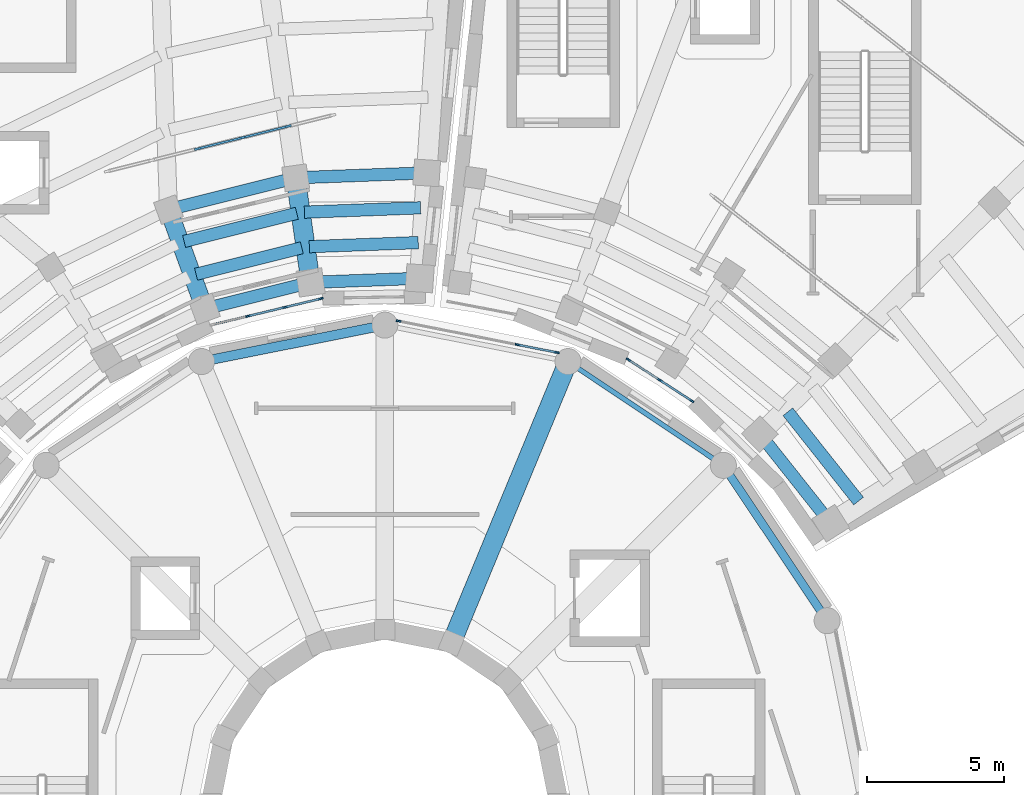
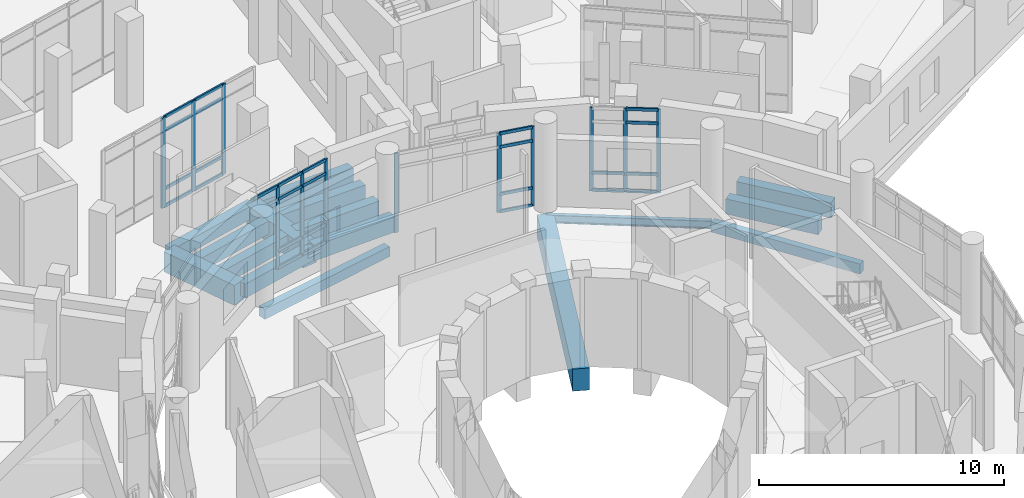
# One storey, part 30 of 89: 39 members, 16 beams, 4 elements without a shape of their own.
"""IFC4 building model written with IfcOpenShell, lengths in metres."""

from ifc_helpers import new_model, si_unit, direction, frame, origin, origin_2d, place, context, subcontext, project, spatial, rectangle, i_section, extrude, material, material_profile, profile_set, type_object, element, aggregate, save


model = new_model("IFC4")

# Units and contexts
model_context = context("Model", 3, precision=1e-05, world=origin(), true_north=direction((0.0, 1.0)))
body_context = subcontext(model_context, "Body", "Model", "MODEL_VIEW")
ifc_project = project(units=[si_unit("LENGTHUNIT", "METRE"), si_unit("AREAUNIT", "SQUARE_METRE"), si_unit("VOLUMEUNIT", "CUBIC_METRE"), si_unit("PLANEANGLEUNIT", "RADIAN"), si_unit("MASSUNIT", "GRAM", prefix="KILO")], contexts=[model_context])

# Site, building, storey
site_placement = place(None, origin())
site = spatial("IfcSite", under=ifc_project, at=site_placement, CompositionType="ELEMENT")
building_placement = place(site_placement, origin())
building = spatial("IfcBuilding", under=site, at=building_placement, Name="Soyqirgoq Riverine Aquarium", CompositionType="ELEMENT")
storey_placement = place(building_placement, frame((0.0, 0.0, 5.39990234375)))
storey = spatial("IfcBuildingStorey", under=building, at=storey_placement, Name="L02", CompositionType="ELEMENT", Elevation=5.39990234375)

# Beams
ifc_material_1 = material(Name="Concrete C40/50", Category="concrete")
ifc_material_profile_1 = material_profile(ifc_material_1, rectangle(XDim=0.449951171875, YDim=0.64990234375, at=origin_2d()), Name="RC 450x650")
ifc_profile_set_1 = profile_set([ifc_material_profile_1], Name="Concrete C40/50")
beam_type_1 = type_object("IfcBeamType", Name="Beam_RC_450x650", PredefinedType="BEAM", material=ifc_profile_set_1)
beam_1_placement = place(storey_placement, frame((52.79541015625, 78.5283203125, -0.625), z_axis=(-0.970078041124, -0.242793315658, 0.0), x_axis=(0.242793315658, -0.970078041124, 0.0)))
element("IfcBeam", 1, at=beam_1_placement, inside=storey, type_object=beam_type_1, Name="V4 L02 Secondary Floor Joist 0563", PredefinedType="BEAM", context=body_context, shape_type="SweptSolid", body=[
    extrude(rectangle(XDim=0.449951171875, YDim=0.64990234375, at=origin_2d()), origin(), (0.0, 0.0, 1.0), 4.2353515625),
])
beam_2_placement = place(storey_placement, frame((52.70361328125, 79.807861328125, -0.625), z_axis=(-0.970090297051, -0.242744341987, 0.0), x_axis=(0.242744341987, -0.970090297051, 0.0)))
element("IfcBeam", 2, at=beam_2_placement, inside=storey, type_object=beam_type_1, Name="V4 L02 Wedge Chord Beam 0569", PredefinedType="BEAM", context=body_context, shape_type="SweptSolid", body=[
    extrude(rectangle(XDim=0.449951171875, YDim=0.64990234375, at=origin_2d()), origin(), (0.0, 0.0, 1.0), 4.6787109375),
])
ifc_material_2 = material(Name="Concrete C40/50", Category="concrete")
ifc_material_profile_2 = material_profile(ifc_material_2, rectangle(XDim=0.449951171875, YDim=0.699951171875, at=origin_2d()), Name="RC 450x700")
ifc_profile_set_2 = profile_set([ifc_material_profile_2], Name="Concrete C40/50")
beam_type_2 = type_object("IfcBeamType", Name="Beam_RC_450x700", PredefinedType="BEAM", material=ifc_profile_set_2)
beam_3_placement = place(storey_placement, frame((53.24609375, 75.996337890625, -0.64990234375), z_axis=(-0.970079552948, -0.242787275104, 0.0), x_axis=(0.242787275104, -0.970079552948, 0.0)))
element("IfcBeam", 3, at=beam_3_placement, inside=storey, type_object=beam_type_2, Name="V4 L02 Wedge Chord Beam 0557", PredefinedType="BEAM", context=body_context, shape_type="SweptSolid", body=[
    extrude(rectangle(XDim=0.449951171875, YDim=0.699951171875, at=origin_2d()), origin(), (0.0, 0.0, 1.0), 3.880615234375),
])
beam_4_placement = place(storey_placement, frame((57.303466796875, 78.726318359375, -0.64990234375), z_axis=(-0.999295671654, -0.037525466212, 0.0), x_axis=(0.037525466212, -0.999295671654, 0.0)))
element("IfcBeam", 4, at=beam_4_placement, inside=storey, type_object=beam_type_2, Name="V4 L02 Secondary Floor Joist 0561", PredefinedType="BEAM", context=body_context, shape_type="SweptSolid", body=[
    extrude(rectangle(XDim=0.449951171875, YDim=0.699951171875, at=origin_2d()), origin(), (0.0, 0.0, 1.0), 4.2353515625),
])
beam_5_placement = place(storey_placement, frame((52.974365234375, 77.2705078125, -0.64990234375), z_axis=(-0.970077382162, -0.24279594852, 0.0), x_axis=(0.24279594852, -0.970077382162, 0.0)))
element("IfcBeam", 5, at=beam_5_placement, inside=storey, type_object=beam_type_2, Name="V4 L02 Secondary Floor Joist 0562", PredefinedType="BEAM", context=body_context, shape_type="SweptSolid", body=[
    extrude(rectangle(XDim=0.449951171875, YDim=0.699951171875, at=origin_2d()), origin(), (0.0, 0.0, 1.0), 3.971923828125),
])
beam_6_placement = place(storey_placement, frame((57.4775390625, 79.997314453125, -0.64990234375), z_axis=(-0.999297859951, -0.037467146916, 0.0), x_axis=(0.037467146916, -0.999297859951, 0.0)))
element("IfcBeam", 6, at=beam_6_placement, inside=storey, type_object=beam_type_2, Name="V4 L02 Wedge Chord Beam 0568", PredefinedType="BEAM", context=body_context, shape_type="SweptSolid", body=[
    extrude(rectangle(XDim=0.449951171875, YDim=0.699951171875, at=origin_2d()), origin(), (0.0, 0.0, 1.0), 4.678466796875),
])
ifc_material_3 = material(Name="Concrete C40/50", Category="concrete")
ifc_material_profile_3 = material_profile(ifc_material_3, rectangle(XDim=0.449951171875, YDim=0.75, at=origin_2d()), Name="RC 450x750")
ifc_profile_set_3 = profile_set([ifc_material_profile_3], Name="Concrete C40/50")
beam_type_3 = type_object("IfcBeamType", Name="Beam_RC_450x750", PredefinedType="BEAM", material=ifc_profile_set_3)
beam_7_placement = place(storey_placement, frame((57.222412109375, 76.156005859375, -0.6748046875), z_axis=(-0.999296702447, -0.037498006337, 0.0), x_axis=(0.037498006337, -0.999296702447, 0.0)))
element("IfcBeam", 7, at=beam_7_placement, inside=storey, type_object=beam_type_3, Name="V4 L02 Wedge Chord Beam 0556", PredefinedType="BEAM", context=body_context, shape_type="SweptSolid", body=[
    extrude(rectangle(XDim=0.449951171875, YDim=0.75, at=origin_2d()), origin(), (0.0, 0.0, 1.0), 3.88037109375),
])
beam_8_placement = place(storey_placement, frame((57.21923828125, 77.458740234375, -0.6748046875), z_axis=(-0.999296781045, -0.037495911696, 0.0), x_axis=(0.037495911696, -0.999296781045, 0.0)))
element("IfcBeam", 8, at=beam_8_placement, inside=storey, type_object=beam_type_3, Name="V4 L02 Secondary Floor Joist 0560", PredefinedType="BEAM", context=body_context, shape_type="SweptSolid", body=[
    extrude(rectangle(XDim=0.449951171875, YDim=0.75, at=origin_2d()), origin(), (0.0, 0.0, 1.0), 3.9716796875),
])
beam_9_placement = place(storey_placement, frame((72.2158203125, 67.2705078125, -0.6748046875), z_axis=(-0.621164833429, 0.783679940863, 0.0), x_axis=(-0.783679940863, -0.621164833429, 0.0)))
element("IfcBeam", 9, at=beam_9_placement, inside=storey, type_object=beam_type_3, Name="V5 L02 Wedge Chord Beam 0813", PredefinedType="BEAM", context=body_context, shape_type="SweptSolid", body=[
    extrude(rectangle(XDim=0.449951171875, YDim=0.75, at=origin_2d()), origin(), (0.0, 0.0, 1.0), 4.047119140625),
])
beam_10_placement = place(storey_placement, frame((73.267578125, 68.03857421875, -0.6748046875), z_axis=(-0.621144365727, 0.783696163653, 0.0), x_axis=(-0.783696163653, -0.621144365727, 0.0)))
element("IfcBeam", 10, at=beam_10_placement, inside=storey, type_object=beam_type_3, Name="V5 L02 Secondary Floor Joist 0817", PredefinedType="BEAM", context=body_context, shape_type="SweptSolid", body=[
    extrude(rectangle(XDim=0.449951171875, YDim=0.75, at=origin_2d()), origin(), (0.0, 0.0, 1.0), 4.14990234375),
])

# Curtain wall, members
ifc_material_4 = material(Name="Anodised aluminium thermally broken triple low-E glazing", Category="aluminium")
curtain_wall_type_1 = type_object("IfcCurtainWallType", Name="CW_DrumGallery_Unitised", PredefinedType="NOTDEFINED", material=ifc_material_4)
curtain_wall_1_placement = place(storey_placement, origin())
curtain_wall_1 = element("IfcCurtainWall", 11, at=curtain_wall_1_placement, inside=storey, type_object=curtain_wall_type_1, Name="V1 L02 Curtain Wall 013", PredefinedType="NOTDEFINED")
ifc_material_5 = material(Name="Anodised aluminium 6063-T6", Category="aluminium")
ifc_material_profile_4 = material_profile(ifc_material_5, rectangle(XDim=0.06494140625, YDim=0.179931640625, at=origin_2d()), Name="ALU-M 65x180")
ifc_profile_set_4 = profile_set([ifc_material_profile_4], Name="Anodised aluminium 6063-T6")
member_type_1 = type_object("IfcMemberType", Name="CWMullion_65x180", PredefinedType="MULLION", material=ifc_profile_set_4)
member_1_placement = place(storey_placement, frame((62.2724609375, 73.452392578125, 0.0), z_axis=(0.0, 0.0, 1.0), x_axis=(-0.195088165618, -0.980785709335, 0.0)))
member_1 = element("IfcMember", 12, at=member_1_placement, type_object=member_type_1, Name="CW-01 mullion 1", PredefinedType="MULLION", context=body_context, shape_type="SweptSolid", body=[
    extrude(rectangle(XDim=0.06494140625, YDim=0.179931640625, at=origin_2d()), origin(), (0.0, 0.0, 1.0), 3.9501953125),
])
member_2_placement = place(storey_placement, frame((60.845458984375, 73.736083984375, 0.0), z_axis=(0.0, 0.0, 1.0), x_axis=(-0.195088165618, -0.980785709335, 0.0)))
member_2 = element("IfcMember", 13, at=member_2_placement, type_object=member_type_1, Name="CW-01 mullion 2", PredefinedType="MULLION", context=body_context, shape_type="SweptSolid", body=[
    extrude(rectangle(XDim=0.06494140625, YDim=0.179931640625, at=origin_2d()), origin(), (0.0, 0.0, 1.0), 3.9501953125),
])
member_3_placement = place(storey_placement, frame((56.5009765625, 74.600341796875, 0.0), z_axis=(0.0, 0.0, 1.0), x_axis=(-0.195088165618, -0.980785709335, 0.0)))
member_3 = element("IfcMember", 14, at=member_3_placement, type_object=member_type_1, Name="CW-01 mullion 5", PredefinedType="MULLION", context=body_context, shape_type="SweptSolid", body=[
    extrude(rectangle(XDim=0.06494140625, YDim=0.179931640625, at=origin_2d()), origin(), (0.0, 0.0, 1.0), 3.9501953125),
])

ifc_material_6 = material(Name="Anodised aluminium thermally broken double low-E glazing", Category="aluminium")
curtain_wall_type_2 = type_object("IfcCurtainWallType", Name="CW_Wedge_NorthBay", PredefinedType="NOTDEFINED", material=ifc_material_6)
curtain_wall_2_placement = place(storey_placement, origin())
curtain_wall_2 = element("IfcCurtainWall", 15, at=curtain_wall_2_placement, inside=storey, type_object=curtain_wall_type_2, Name="V4 L02 Curtain Wall 088", PredefinedType="NOTDEFINED")
member_4_placement = place(storey_placement, frame((53.666259765625, 75.414794921875, 0.0), z_axis=(0.0, 0.0, 1.0), x_axis=(0.233442646008, -0.972370572891, 0.0)))
member_4 = element("IfcMember", 16, at=member_4_placement, type_object=member_type_1, Name="CW-03 mullion 1", PredefinedType="MULLION", context=body_context, shape_type="SweptSolid", body=[
    extrude(rectangle(XDim=0.06494140625, YDim=0.179931640625, at=origin_2d()), origin(), (0.0, 0.0, 1.0), 4.150146484375),
])
member_5_placement = place(storey_placement, frame((52.361083984375, 75.1015625, 0.0), z_axis=(0.0, 0.0, 1.0), x_axis=(0.233442646008, -0.972370572891, 0.0)))
member_5 = element("IfcMember", 17, at=member_5_placement, type_object=member_type_1, Name="CW-03 mullion 2", PredefinedType="MULLION", context=body_context, shape_type="SweptSolid", body=[
    extrude(rectangle(XDim=0.06494140625, YDim=0.179931640625, at=origin_2d()), origin(), (0.0, 0.0, 1.0), 4.150146484375),
])
member_6_placement = place(storey_placement, frame((51.0244140625, 74.780517578125, 0.0), z_axis=(0.0, 0.0, 1.0), x_axis=(0.233442646008, -0.972370572891, 0.0)))
member_6 = element("IfcMember", 18, at=member_6_placement, type_object=member_type_1, Name="CW-03 mullion 3", PredefinedType="MULLION", context=body_context, shape_type="SweptSolid", body=[
    extrude(rectangle(XDim=0.06494140625, YDim=0.179931640625, at=origin_2d()), origin(), (0.0, 0.0, 1.0), 4.150146484375),
])

curtain_wall_3_placement = place(storey_placement, origin())
curtain_wall_3 = element("IfcCurtainWall", 19, at=curtain_wall_3_placement, inside=storey, type_object=curtain_wall_type_2, Name="V5 L02 Curtain Wall 094", PredefinedType="NOTDEFINED")
member_7_placement = place(storey_placement, frame((67.18310546875, 71.69287109375, 0.0), z_axis=(0.0, 0.0, 1.0), x_axis=(-0.544612897875, -0.838687541024, 0.0)))
member_7 = element("IfcMember", 20, at=member_7_placement, type_object=member_type_1, Name="CW-03 mullion 1", PredefinedType="MULLION", context=body_context, shape_type="SweptSolid", body=[
    extrude(rectangle(XDim=0.06494140625, YDim=0.179931640625, at=origin_2d()), origin(), (0.0, 0.0, 1.0), 4.150146484375),
])
member_8_placement = place(storey_placement, frame((66.028564453125, 72.442626953125, 0.0), z_axis=(0.0, 0.0, 1.0), x_axis=(-0.544612897875, -0.838687541024, 0.0)))
member_8 = element("IfcMember", 21, at=member_8_placement, type_object=member_type_1, Name="CW-03 mullion 2", PredefinedType="MULLION", context=body_context, shape_type="SweptSolid", body=[
    extrude(rectangle(XDim=0.06494140625, YDim=0.179931640625, at=origin_2d()), origin(), (0.0, 0.0, 1.0), 4.150146484375),
])
member_9_placement = place(storey_placement, frame((64.8740234375, 73.1923828125, 0.0), z_axis=(0.0, 0.0, 1.0), x_axis=(-0.544612897875, -0.838687541024, 0.0)))
member_9 = element("IfcMember", 22, at=member_9_placement, type_object=member_type_1, Name="CW-03 mullion 3", PredefinedType="MULLION", context=body_context, shape_type="SweptSolid", body=[
    extrude(rectangle(XDim=0.06494140625, YDim=0.179931640625, at=origin_2d()), origin(), (0.0, 0.0, 1.0), 4.150146484375),
])

ifc_material_7 = material(Name="Cast polymethyl methacrylate PMMA Habitat Viewing Glazing", Category="glass")
curtain_wall_type_3 = type_object("IfcCurtainWallType", Name="CW_Interior_TankVitrine", PredefinedType="NOTDEFINED", material=ifc_material_7)
curtain_wall_4_placement = place(storey_placement, origin())
curtain_wall_4 = element("IfcCurtainWall", 23, at=curtain_wall_4_placement, inside=storey, type_object=curtain_wall_type_3, Name="V4 L02 Curtain Wall 153", PredefinedType="NOTDEFINED")
ifc_material_8 = material(Name="Anodised aluminium 6063-T6", Category="aluminium")
ifc_material_profile_5 = material_profile(ifc_material_8, rectangle(XDim=0.080078125, YDim=0.219970703125, at=origin_2d()), Name="ALU-M 80x220")
ifc_profile_set_5 = profile_set([ifc_material_profile_5], Name="Anodised aluminium 6063-T6")
member_type_2 = type_object("IfcMemberType", Name="CWMullion_80x220", PredefinedType="MULLION", material=ifc_profile_set_5)
member_10_placement = place(storey_placement, frame((52.485595703125, 81.70068359375, 0.0), z_axis=(0.0, 0.0, 1.0), x_axis=(0.241922023881, -0.970295694292, 0.0)))
member_10 = element("IfcMember", 24, at=member_10_placement, type_object=member_type_2, Name="CW-07 mullion 2", PredefinedType="MULLION", context=body_context, shape_type="SweptSolid", body=[
    extrude(rectangle(XDim=0.080078125, YDim=0.219970703125, at=origin_2d()), origin(), (0.0, 0.0, 1.0), 4.5),
])
member_11_placement = place(storey_placement, frame((50.825927734375, 81.286865234375, 0.0), z_axis=(0.0, 0.0, 1.0), x_axis=(0.241922023881, -0.970295694292, 0.0)))
member_11 = element("IfcMember", 25, at=member_11_placement, type_object=member_type_2, Name="CW-07 mullion 3", PredefinedType="MULLION", context=body_context, shape_type="SweptSolid", body=[
    extrude(rectangle(XDim=0.080078125, YDim=0.219970703125, at=origin_2d()), origin(), (0.0, 0.0, 1.0), 4.5),
])
member_12_placement = place(storey_placement, frame((49.166259765625, 80.873046875, 0.0), z_axis=(0.0, 0.0, 1.0), x_axis=(0.241922023881, -0.970295694292, 0.0)))
member_12 = element("IfcMember", 26, at=member_12_placement, type_object=member_type_2, Name="CW-07 mullion 4", PredefinedType="MULLION", context=body_context, shape_type="SweptSolid", body=[
    extrude(rectangle(XDim=0.080078125, YDim=0.219970703125, at=origin_2d()), origin(), (0.0, 0.0, 1.0), 4.5),
])

# Member
ifc_material_9 = material(Name="Anodised aluminium 6063-T6", Category="aluminium")
ifc_material_profile_6 = material_profile(ifc_material_9, rectangle(XDim=0.074951171875, YDim=0.14990234375, at=origin_2d()), Name="ALU-T 75x150")
ifc_profile_set_6 = profile_set([ifc_material_profile_6], Name="Anodised aluminium 6063-T6")
member_type_3 = type_object("IfcMemberType", Name="CWTransom_75x150", PredefinedType="USERDEFINED", material=ifc_profile_set_6)
member_13_placement = place(storey_placement, frame((62.24072265625, 73.458740234375, 0.03759765625), z_axis=(-0.980809694645, 0.194967543169, 0.0), x_axis=(-0.194967543169, -0.980809694645, 0.0)))
member_13 = element("IfcMember", 27, at=member_13_placement, type_object=member_type_3, Name="CW-01 transom 1.1", ObjectType="TRANSOM", PredefinedType="USERDEFINED", context=body_context, shape_type="SweptSolid", body=[
    extrude(rectangle(XDim=0.074951171875, YDim=0.14990234375, at=origin_2d()), origin(), (0.0, 0.0, 1.0), 1.389892578125),
])

member_14_placement = place(storey_placement, frame((62.24072265625, 73.458740234375, 0.900146484375), z_axis=(-0.980809694645, 0.194967543169, 0.0), x_axis=(-0.194967543169, -0.980809694645, 0.0)))
member_14 = element("IfcMember", 28, at=member_14_placement, type_object=member_type_3, Name="CW-01 transom 1.2", ObjectType="TRANSOM", PredefinedType="USERDEFINED", context=body_context, shape_type="SweptSolid", body=[
    extrude(rectangle(XDim=0.074951171875, YDim=0.14990234375, at=origin_2d()), origin(), (0.0, 0.0, 1.0), 1.389892578125),
])

member_15_placement = place(storey_placement, frame((62.24072265625, 73.458740234375, 3.25), z_axis=(-0.980809694645, 0.194967543169, 0.0), x_axis=(-0.194967543169, -0.980809694645, 0.0)))
member_15 = element("IfcMember", 29, at=member_15_placement, type_object=member_type_3, Name="CW-01 transom 1.3", ObjectType="TRANSOM", PredefinedType="USERDEFINED", context=body_context, shape_type="SweptSolid", body=[
    extrude(rectangle(XDim=0.074951171875, YDim=0.14990234375, at=origin_2d()), origin(), (0.0, 0.0, 1.0), 1.389892578125),
])

member_16_placement = place(storey_placement, frame((62.24072265625, 73.458740234375, 3.91259765625), z_axis=(-0.980809694645, 0.194967543169, 0.0), x_axis=(-0.194967543169, -0.980809694645, 0.0)))
member_16 = element("IfcMember", 30, at=member_16_placement, type_object=member_type_3, Name="CW-01 transom 1.4", ObjectType="TRANSOM", PredefinedType="USERDEFINED", context=body_context, shape_type="SweptSolid", body=[
    extrude(rectangle(XDim=0.074951171875, YDim=0.14990234375, at=origin_2d()), origin(), (0.0, 0.0, 1.0), 1.389892578125),
])

aggregate(curtain_wall_1, [member_1, member_2, member_3, member_13, member_14, member_15, member_16])

member_17_placement = place(storey_placement, frame((53.634765625, 75.4072265625, 0.03759765625), z_axis=(-0.972382096433, -0.233394641192, 0.0), x_axis=(0.233394641192, -0.972382096433, 0.0)))
member_17 = element("IfcMember", 31, at=member_17_placement, type_object=member_type_3, Name="CW-03 transom 1.1", ObjectType="TRANSOM", PredefinedType="USERDEFINED", context=body_context, shape_type="SweptSolid", body=[
    extrude(rectangle(XDim=0.074951171875, YDim=0.14990234375, at=origin_2d()), origin(), (0.0, 0.0, 1.0), 1.277099609375),
])

member_18_placement = place(storey_placement, frame((53.634765625, 75.4072265625, 0.900146484375), z_axis=(-0.972382096433, -0.233394641192, 0.0), x_axis=(0.233394641192, -0.972382096433, 0.0)))
member_18 = element("IfcMember", 32, at=member_18_placement, type_object=member_type_3, Name="CW-03 transom 1.2", ObjectType="TRANSOM", PredefinedType="USERDEFINED", context=body_context, shape_type="SweptSolid", body=[
    extrude(rectangle(XDim=0.074951171875, YDim=0.14990234375, at=origin_2d()), origin(), (0.0, 0.0, 1.0), 1.277099609375),
])

member_19_placement = place(storey_placement, frame((53.634765625, 75.4072265625, 3.4501953125), z_axis=(-0.972382096433, -0.233394641192, 0.0), x_axis=(0.233394641192, -0.972382096433, 0.0)))
member_19 = element("IfcMember", 33, at=member_19_placement, type_object=member_type_3, Name="CW-03 transom 1.3", ObjectType="TRANSOM", PredefinedType="USERDEFINED", context=body_context, shape_type="SweptSolid", body=[
    extrude(rectangle(XDim=0.074951171875, YDim=0.14990234375, at=origin_2d()), origin(), (0.0, 0.0, 1.0), 1.277099609375),
])

member_20_placement = place(storey_placement, frame((53.634765625, 75.4072265625, 4.112548828125), z_axis=(-0.972382096433, -0.233394641192, 0.0), x_axis=(0.233394641192, -0.972382096433, 0.0)))
member_20 = element("IfcMember", 34, at=member_20_placement, type_object=member_type_3, Name="CW-03 transom 1.4", ObjectType="TRANSOM", PredefinedType="USERDEFINED", context=body_context, shape_type="SweptSolid", body=[
    extrude(rectangle(XDim=0.074951171875, YDim=0.14990234375, at=origin_2d()), origin(), (0.0, 0.0, 1.0), 1.277099609375),
])

member_21_placement = place(storey_placement, frame((52.32958984375, 75.093994140625, 0.03759765625), z_axis=(-0.97239068564, -0.233358853445, 0.0), x_axis=(0.233358853445, -0.97239068564, 0.0)))
member_21 = element("IfcMember", 35, at=member_21_placement, type_object=member_type_3, Name="CW-03 transom 2.1", ObjectType="TRANSOM", PredefinedType="USERDEFINED", context=body_context, shape_type="SweptSolid", body=[
    extrude(rectangle(XDim=0.074951171875, YDim=0.14990234375, at=origin_2d()), origin(), (0.0, 0.0, 1.0), 1.309814453125),
])

member_22_placement = place(storey_placement, frame((52.32958984375, 75.093994140625, 0.900146484375), z_axis=(-0.97239068564, -0.233358853445, 0.0), x_axis=(0.233358853445, -0.97239068564, 0.0)))
member_22 = element("IfcMember", 36, at=member_22_placement, type_object=member_type_3, Name="CW-03 transom 2.2", ObjectType="TRANSOM", PredefinedType="USERDEFINED", context=body_context, shape_type="SweptSolid", body=[
    extrude(rectangle(XDim=0.074951171875, YDim=0.14990234375, at=origin_2d()), origin(), (0.0, 0.0, 1.0), 1.309814453125),
])

member_23_placement = place(storey_placement, frame((52.32958984375, 75.093994140625, 3.4501953125), z_axis=(-0.97239068564, -0.233358853445, 0.0), x_axis=(0.233358853445, -0.97239068564, 0.0)))
member_23 = element("IfcMember", 37, at=member_23_placement, type_object=member_type_3, Name="CW-03 transom 2.3", ObjectType="TRANSOM", PredefinedType="USERDEFINED", context=body_context, shape_type="SweptSolid", body=[
    extrude(rectangle(XDim=0.074951171875, YDim=0.14990234375, at=origin_2d()), origin(), (0.0, 0.0, 1.0), 1.309814453125),
])

member_24_placement = place(storey_placement, frame((52.32958984375, 75.093994140625, 4.112548828125), z_axis=(-0.97239068564, -0.233358853445, 0.0), x_axis=(0.233358853445, -0.97239068564, 0.0)))
member_24 = element("IfcMember", 38, at=member_24_placement, type_object=member_type_3, Name="CW-03 transom 2.4", ObjectType="TRANSOM", PredefinedType="USERDEFINED", context=body_context, shape_type="SweptSolid", body=[
    extrude(rectangle(XDim=0.074951171875, YDim=0.14990234375, at=origin_2d()), origin(), (0.0, 0.0, 1.0), 1.309814453125),
])

member_25_placement = place(storey_placement, frame((50.99267578125, 74.77294921875, 4.112548828125), z_axis=(-0.972382096433, -0.233394641192, 0.0), x_axis=(0.233394641192, -0.972382096433, 0.0)))
member_25 = element("IfcMember", 39, at=member_25_placement, type_object=member_type_3, Name="CW-03 transom 3.4", ObjectType="TRANSOM", PredefinedType="USERDEFINED", context=body_context, shape_type="SweptSolid", body=[
    extrude(rectangle(XDim=0.074951171875, YDim=0.14990234375, at=origin_2d()), origin(), (0.0, 0.0, 1.0), 1.277099609375),
])

aggregate(curtain_wall_2, [member_4, member_5, member_6, member_17, member_18, member_19, member_20, member_21, member_22, member_23, member_24, member_25])

member_26_placement = place(storey_placement, frame((67.156005859375, 71.710693359375, 0.03759765625), z_axis=(-0.838690173808, 0.544608843445, 0.0), x_axis=(-0.544608843445, -0.838690173808, 0.0)))
member_26 = element("IfcMember", 40, at=member_26_placement, type_object=member_type_3, Name="CW-03 transom 1.1", ObjectType="TRANSOM", PredefinedType="USERDEFINED", context=body_context, shape_type="SweptSolid", body=[
    extrude(rectangle(XDim=0.074951171875, YDim=0.14990234375, at=origin_2d()), origin(), (0.0, 0.0, 1.0), 1.311767578125),
])

member_27_placement = place(storey_placement, frame((67.156005859375, 71.710693359375, 0.900146484375), z_axis=(-0.838690173808, 0.544608843445, 0.0), x_axis=(-0.544608843445, -0.838690173808, 0.0)))
member_27 = element("IfcMember", 41, at=member_27_placement, type_object=member_type_3, Name="CW-03 transom 1.2", ObjectType="TRANSOM", PredefinedType="USERDEFINED", context=body_context, shape_type="SweptSolid", body=[
    extrude(rectangle(XDim=0.074951171875, YDim=0.14990234375, at=origin_2d()), origin(), (0.0, 0.0, 1.0), 1.311767578125),
])

member_28_placement = place(storey_placement, frame((67.156005859375, 71.710693359375, 3.4501953125), z_axis=(-0.838690173808, 0.544608843445, 0.0), x_axis=(-0.544608843445, -0.838690173808, 0.0)))
member_28 = element("IfcMember", 42, at=member_28_placement, type_object=member_type_3, Name="CW-03 transom 1.3", ObjectType="TRANSOM", PredefinedType="USERDEFINED", context=body_context, shape_type="SweptSolid", body=[
    extrude(rectangle(XDim=0.074951171875, YDim=0.14990234375, at=origin_2d()), origin(), (0.0, 0.0, 1.0), 1.311767578125),
])

member_29_placement = place(storey_placement, frame((67.156005859375, 71.710693359375, 4.112548828125), z_axis=(-0.838690173808, 0.544608843445, 0.0), x_axis=(-0.544608843445, -0.838690173808, 0.0)))
member_29 = element("IfcMember", 43, at=member_29_placement, type_object=member_type_3, Name="CW-03 transom 1.4", ObjectType="TRANSOM", PredefinedType="USERDEFINED", context=body_context, shape_type="SweptSolid", body=[
    extrude(rectangle(XDim=0.074951171875, YDim=0.14990234375, at=origin_2d()), origin(), (0.0, 0.0, 1.0), 1.311767578125),
])

member_30_placement = place(storey_placement, frame((66.001220703125, 72.46044921875, 0.03759765625), z_axis=(-0.838690173808, 0.544608843445, 0.0), x_axis=(-0.544608843445, -0.838690173808, 0.0)))
member_30 = element("IfcMember", 44, at=member_30_placement, type_object=member_type_3, Name="CW-03 transom 2.1", ObjectType="TRANSOM", PredefinedType="USERDEFINED", context=body_context, shape_type="SweptSolid", body=[
    extrude(rectangle(XDim=0.074951171875, YDim=0.14990234375, at=origin_2d()), origin(), (0.0, 0.0, 1.0), 1.311767578125),
])

member_31_placement = place(storey_placement, frame((66.001220703125, 72.46044921875, 0.900146484375), z_axis=(-0.838690173808, 0.544608843445, 0.0), x_axis=(-0.544608843445, -0.838690173808, 0.0)))
member_31 = element("IfcMember", 45, at=member_31_placement, type_object=member_type_3, Name="CW-03 transom 2.2", ObjectType="TRANSOM", PredefinedType="USERDEFINED", context=body_context, shape_type="SweptSolid", body=[
    extrude(rectangle(XDim=0.074951171875, YDim=0.14990234375, at=origin_2d()), origin(), (0.0, 0.0, 1.0), 1.311767578125),
])

aggregate(curtain_wall_3, [member_7, member_8, member_9, member_26, member_27, member_28, member_29, member_30, member_31])

member_32_placement = place(storey_placement, frame((52.44677734375, 81.69091796875, 0.03759765625), z_axis=(-0.970318409519, -0.241830899903, 0.0), x_axis=(0.241830899903, -0.970318409519, 0.0)))
member_32 = element("IfcMember", 46, at=member_32_placement, type_object=member_type_3, Name="CW-07 transom 2.1", ObjectType="TRANSOM", PredefinedType="USERDEFINED", context=body_context, shape_type="SweptSolid", body=[
    extrude(rectangle(XDim=0.074951171875, YDim=0.14990234375, at=origin_2d()), origin(), (0.0, 0.0, 1.0), 1.63037109375),
])

member_33_placement = place(storey_placement, frame((52.44677734375, 81.69091796875, 0.900146484375), z_axis=(-0.970318409519, -0.241830899903, 0.0), x_axis=(0.241830899903, -0.970318409519, 0.0)))
member_33 = element("IfcMember", 47, at=member_33_placement, type_object=member_type_3, Name="CW-07 transom 2.2", ObjectType="TRANSOM", PredefinedType="USERDEFINED", context=body_context, shape_type="SweptSolid", body=[
    extrude(rectangle(XDim=0.074951171875, YDim=0.14990234375, at=origin_2d()), origin(), (0.0, 0.0, 1.0), 1.63037109375),
])

member_34_placement = place(storey_placement, frame((52.44677734375, 81.69091796875, 3.800048828125), z_axis=(-0.970318409519, -0.241830899903, 0.0), x_axis=(0.241830899903, -0.970318409519, 0.0)))
member_34 = element("IfcMember", 48, at=member_34_placement, type_object=member_type_3, Name="CW-07 transom 2.3", ObjectType="TRANSOM", PredefinedType="USERDEFINED", context=body_context, shape_type="SweptSolid", body=[
    extrude(rectangle(XDim=0.074951171875, YDim=0.14990234375, at=origin_2d()), origin(), (0.0, 0.0, 1.0), 1.63037109375),
])

member_35_placement = place(storey_placement, frame((52.44677734375, 81.69091796875, 4.462646484375), z_axis=(-0.970318409519, -0.241830899903, 0.0), x_axis=(0.241830899903, -0.970318409519, 0.0)))
member_35 = element("IfcMember", 49, at=member_35_placement, type_object=member_type_3, Name="CW-07 transom 2.4", ObjectType="TRANSOM", PredefinedType="USERDEFINED", context=body_context, shape_type="SweptSolid", body=[
    extrude(rectangle(XDim=0.074951171875, YDim=0.14990234375, at=origin_2d()), origin(), (0.0, 0.0, 1.0), 1.63037109375),
])

member_36_placement = place(storey_placement, frame((50.787109375, 81.277099609375, 0.03759765625), z_axis=(-0.970318409519, -0.241830899903, 0.0), x_axis=(0.241830899903, -0.970318409519, 0.0)))
member_36 = element("IfcMember", 50, at=member_36_placement, type_object=member_type_3, Name="CW-07 transom 3.1", ObjectType="TRANSOM", PredefinedType="USERDEFINED", context=body_context, shape_type="SweptSolid", body=[
    extrude(rectangle(XDim=0.074951171875, YDim=0.14990234375, at=origin_2d()), origin(), (0.0, 0.0, 1.0), 1.63037109375),
])

member_37_placement = place(storey_placement, frame((50.787109375, 81.277099609375, 0.900146484375), z_axis=(-0.970318409519, -0.241830899903, 0.0), x_axis=(0.241830899903, -0.970318409519, 0.0)))
member_37 = element("IfcMember", 51, at=member_37_placement, type_object=member_type_3, Name="CW-07 transom 3.2", ObjectType="TRANSOM", PredefinedType="USERDEFINED", context=body_context, shape_type="SweptSolid", body=[
    extrude(rectangle(XDim=0.074951171875, YDim=0.14990234375, at=origin_2d()), origin(), (0.0, 0.0, 1.0), 1.63037109375),
])

member_38_placement = place(storey_placement, frame((50.787109375, 81.277099609375, 3.800048828125), z_axis=(-0.970318409519, -0.241830899903, 0.0), x_axis=(0.241830899903, -0.970318409519, 0.0)))
member_38 = element("IfcMember", 52, at=member_38_placement, type_object=member_type_3, Name="CW-07 transom 3.3", ObjectType="TRANSOM", PredefinedType="USERDEFINED", context=body_context, shape_type="SweptSolid", body=[
    extrude(rectangle(XDim=0.074951171875, YDim=0.14990234375, at=origin_2d()), origin(), (0.0, 0.0, 1.0), 1.63037109375),
])

member_39_placement = place(storey_placement, frame((50.787109375, 81.277099609375, 4.462646484375), z_axis=(-0.970318409519, -0.241830899903, 0.0), x_axis=(0.241830899903, -0.970318409519, 0.0)))
member_39 = element("IfcMember", 53, at=member_39_placement, type_object=member_type_3, Name="CW-07 transom 3.4", ObjectType="TRANSOM", PredefinedType="USERDEFINED", context=body_context, shape_type="SweptSolid", body=[
    extrude(rectangle(XDim=0.074951171875, YDim=0.14990234375, at=origin_2d()), origin(), (0.0, 0.0, 1.0), 1.63037109375),
])

aggregate(curtain_wall_4, [member_10, member_11, member_12, member_32, member_33, member_34, member_35, member_36, member_37, member_38, member_39])

# Beams
ifc_material_10 = material(Name="Concrete C40/50", Category="concrete")
ifc_material_profile_7 = material_profile(ifc_material_10, rectangle(XDim=0.64990234375, YDim=1.0, at=origin_2d()), Name="RC 650x1000")
ifc_profile_set_7 = profile_set([ifc_material_profile_7], Name="Concrete C40/50")
beam_type_4 = type_object("IfcBeamType", Name="Girder_RC_650x1000", PredefinedType="BEAM", material=ifc_profile_set_7)
beam_11_placement = place(storey_placement, frame((49.416015625, 75.089111328125, -0.7998046875), z_axis=(-0.342009657388, 0.939696437289, 0.0), x_axis=(-0.939696437289, -0.342009657388, 0.0)))
element("IfcBeam", 54, at=beam_11_placement, inside=storey, type_object=beam_type_4, Name="V4 L02 Wedge Radial Girder 0544", PredefinedType="BEAM", context=body_context, shape_type="SweptSolid", body=[
    extrude(rectangle(XDim=0.64990234375, YDim=1.0, at=origin_2d()), origin(), (0.0, 0.0, 1.0), 3.749755859375),
])
ifc_material_11 = material(Name="Concrete C40/50", Category="concrete")
ifc_material_profile_8 = material_profile(ifc_material_11, rectangle(XDim=0.699951171875, YDim=1.10009765625, at=origin_2d()), Name="RC 700x1100")
ifc_profile_set_8 = profile_set([ifc_material_profile_8], Name="Concrete C40/50")
beam_type_5 = type_object("IfcBeamType", Name="Girder_RC_700x1100", PredefinedType="BEAM", material=ifc_profile_set_8)
beam_12_placement = place(storey_placement, frame((58.433837890625, 62.875732421875, -0.89990234375), z_axis=(0.382683908742, 0.923879335189, 0.0), x_axis=(-0.923879335189, 0.382683908742, 0.0)))
element("IfcBeam", 55, at=beam_12_placement, inside=storey, type_object=beam_type_5, Name="V1 L02 Gallery Radial Beam 0038", PredefinedType="BEAM", context=body_context, shape_type="SweptSolid", body=[
    extrude(rectangle(XDim=0.699951171875, YDim=1.10009765625, at=origin_2d()), origin(), (0.0, 0.0, 1.0), 11.080322265625),
])
beam_13_placement = place(storey_placement, frame((53.28759765625, 76.05810546875, -0.849853515625), z_axis=(-0.140892663047, 0.990024877212, 0.0), x_axis=(-0.990024877212, -0.140892663047, 0.0)))
element("IfcBeam", 56, at=beam_13_placement, inside=storey, type_object=beam_type_5, Name="V4 L02 Wedge Radial Girder 0540", PredefinedType="BEAM", context=body_context, shape_type="SweptSolid", body=[
    extrude(rectangle(XDim=0.699951171875, YDim=1.10009765625, at=origin_2d()), origin(), (0.0, 0.0, 1.0), 3.749755859375),
])
ifc_material_12 = material(Name="Concrete C40/50", Category="concrete")
ifc_material_profile_9 = material_profile(ifc_material_12, rectangle(XDim=0.300048828125, YDim=0.5, at=origin_2d()), Name="RC 300x500")
ifc_profile_set_9 = profile_set([ifc_material_profile_9], Name="Concrete C40/50")
beam_type_6 = type_object("IfcBeamType", Name="Spandrel_RC_300x500", PredefinedType="SPANDREL", material=ifc_profile_set_9)
beam_14_placement = place(storey_placement, frame((72.110595703125, 63.6943359375, -0.599853515625), z_axis=(-0.555557213186, 0.83147831173, 0.0), x_axis=(-0.83147831173, -0.555557213186, 0.0)))
element("IfcBeam", 57, at=beam_14_placement, inside=storey, type_object=beam_type_6, Name="V1 L02 Drum Spandrel Beam 0034", PredefinedType="SPANDREL", context=body_context, shape_type="SweptSolid", body=[
    extrude(rectangle(XDim=0.300048828125, YDim=0.5, at=origin_2d()), origin(), (0.0, 0.0, 1.0), 6.768798828125),
])
ifc_material_13 = material(Name="Concrete C40/50", Category="concrete")
ifc_material_profile_10 = material_profile(ifc_material_13, rectangle(XDim=0.35009765625, YDim=0.5, at=origin_2d()), Name="RC 350x500")
ifc_profile_set_10 = profile_set([ifc_material_profile_10], Name="Concrete C40/50")
beam_type_7 = type_object("IfcBeamType", Name="Spandrel_RC_350x500", PredefinedType="SPANDREL", material=ifc_profile_set_10)
beam_15_placement = place(storey_placement, frame((55.98046875, 74.446044921875, -0.599853515625), z_axis=(-0.980784073274, -0.195096390568, 0.0), x_axis=(0.195096390568, -0.980784073274, 0.0)))
element("IfcBeam", 58, at=beam_15_placement, inside=storey, type_object=beam_type_7, Name="V1 L02 Drum Spandrel Beam 0039", PredefinedType="SPANDREL", context=body_context, shape_type="SweptSolid", body=[
    extrude(rectangle(XDim=0.35009765625, YDim=0.5, at=origin_2d()), origin(), (0.0, 0.0, 1.0), 6.768798828125),
])
ifc_material_14 = material(Name="Structural steel S355", Category="steel")
ifc_material_profile_11 = material_profile(ifc_material_14, i_section(OverallWidth=0.179931640625, OverallDepth=0.39990234375, WebThickness=0.008544921875, FlangeThickness=0.013427734375, FilletRadius=0.02099609375, at=origin_2d()), Name="IPE 400")
ifc_profile_set_11 = profile_set([ifc_material_profile_11], Name="Structural steel S355")
beam_type_8 = type_object("IfcBeamType", Name="Spandrel_Steel_IPE400", PredefinedType="SPANDREL", material=ifc_profile_set_11)
beam_16_placement = place(storey_placement, frame((68.322509765625, 69.35009765625, -0.5498046875), z_axis=(-0.83147831173, 0.555557213186, 0.0), x_axis=(-0.555557213186, -0.83147831173, 0.0)))
element("IfcBeam", 59, at=beam_16_placement, inside=storey, type_object=beam_type_8, Name="V1 L02 Drum Spandrel Beam 0035", PredefinedType="SPANDREL", context=body_context, shape_type="SweptSolid", body=[
    extrude(i_section(OverallWidth=0.179931640625, OverallDepth=0.39990234375, WebThickness=0.008544921875, FlangeThickness=0.013427734375, FilletRadius=0.02099609375, at=origin_2d()), origin(), (0.0, 0.0, 1.0), 6.768798828125),
])

save(model, "model.ifc")
